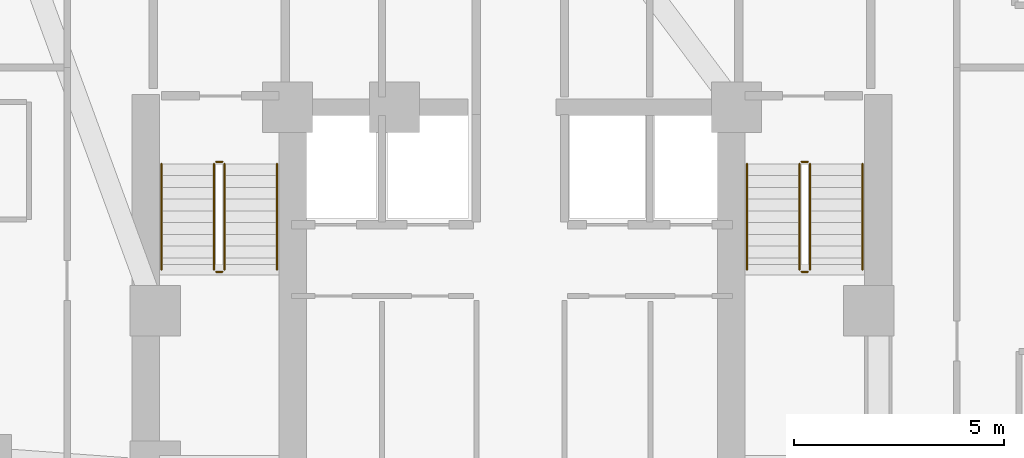
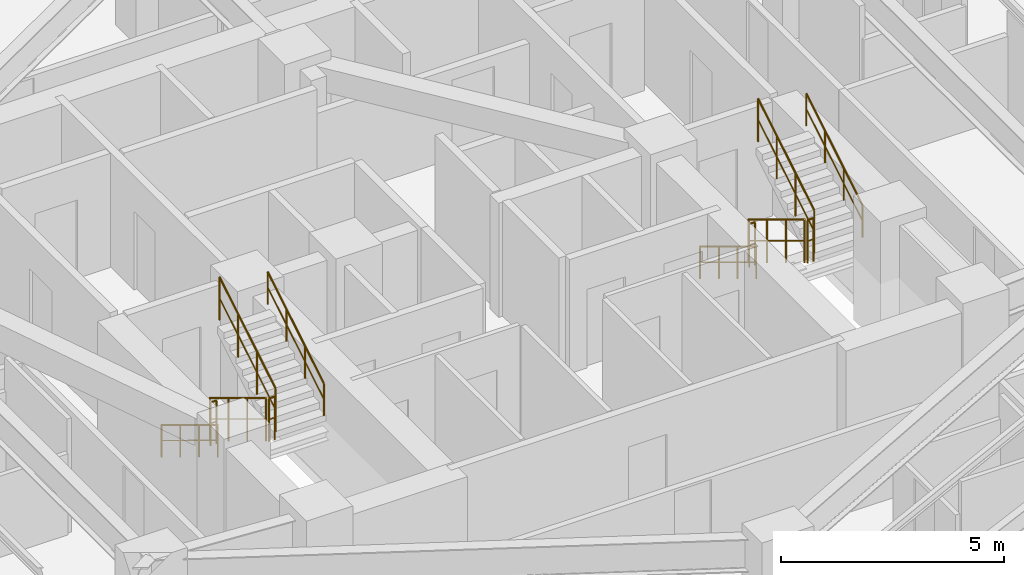
# One storey, part 13 of 13: 12 railings.
"""IFC4 building model written with IfcOpenShell, lengths in metres."""

from ifc_helpers import new_model, si_unit, direction, frame, origin, origin_2d, place, context, subcontext, project, spatial, circle, extrude, material, type_object, element, save


model = new_model("IFC4")

# Units and contexts
model_context = context("Model", 3, precision=1e-05, world=origin(), true_north=direction((0.0, 1.0)))
body_context = subcontext(model_context, "Body", "Model", "MODEL_VIEW")
ifc_project = project(units=[si_unit("LENGTHUNIT", "METRE"), si_unit("AREAUNIT", "SQUARE_METRE"), si_unit("VOLUMEUNIT", "CUBIC_METRE"), si_unit("PLANEANGLEUNIT", "RADIAN"), si_unit("MASSUNIT", "GRAM", prefix="KILO")], contexts=[model_context])

# Site, building, storey
site_placement = place(None, origin())
site = spatial("IfcSite", under=ifc_project, at=site_placement, CompositionType="ELEMENT")
building_placement = place(site_placement, origin())
building = spatial("IfcBuilding", under=site, at=building_placement, Name="Miruveldt Soraemaru", CompositionType="ELEMENT")
storey_placement = place(building_placement, frame((0.0, 0.0, 70.0)))
storey = spatial("IfcBuildingStorey", under=building, at=storey_placement, Name="L19", CompositionType="ELEMENT", Elevation=70.0)

# Railings
ifc_material = material(Name="Steel S355 (355 MPa)", Category="steel")
railing_type_1 = type_object("IfcRailingType", Name="RAIL-HR-900", PredefinedType="HANDRAIL", material=ifc_material)
railing_1_placement = place(storey_placement, frame((35.64990234375, 42.699951171875, 0.169921875)))
element("IfcRailing", 1, at=railing_1_placement, inside=storey, type_object=railing_type_1, Name="L19 ST-1 stair handrail 1", PredefinedType="HANDRAIL", context=body_context, shape_type="SweptSolid", body=[
    extrude(circle(Radius=0.02392578125, at=origin_2d()), frame((0.0, 0.0, 0.8759765625), z_axis=(0.0, -0.85478489116, 0.518982456201), x_axis=(1.0, 0.0, 0.0)), (0.0, 0.0, 1.0), 2.9482421875),
    extrude(circle(Radius=0.01611328125, at=origin_2d()), frame((0.0, 0.0, 0.449951171875), z_axis=(0.0, -0.85478489116, 0.518982456201), x_axis=(1.0, 0.0, 0.0)), (0.0, 0.0, 1.0), 2.9482421875),
    extrude(circle(Radius=0.02099609375, at=origin_2d()), origin(), (0.0, 0.0, 1.0), 0.851806640625),
    extrude(circle(Radius=0.02099609375, at=origin_2d()), frame((0.0, -0.840087890625, 0.510009765625)), (0.0, 0.0, 1.0), 0.851806640625),
    extrude(circle(Radius=0.02099609375, at=origin_2d()), frame((0.0, -1.679931640625, 1.02001953125)), (0.0, 0.0, 1.0), 0.851806640625),
    extrude(circle(Radius=0.02099609375, at=origin_2d()), frame((0.0, -2.52001953125, 1.530029296875)), (0.0, 0.0, 1.0), 0.851806640625),
])
railing_2_placement = place(storey_placement, frame((38.39990234375, 40.179931640625, 1.8701171875)))
element("IfcRailing", 2, at=railing_2_placement, inside=storey, type_object=railing_type_1, Name="L19 ST-1 stair handrail 2", PredefinedType="HANDRAIL", context=body_context, shape_type="SweptSolid", body=[
    extrude(circle(Radius=0.02392578125, at=origin_2d()), frame((0.0, 0.0, 0.8759765625), z_axis=(0.0, 0.854821627497, 0.518921945155), x_axis=(-1.0, 0.0, 0.0)), (0.0, 0.0, 1.0), 2.947998046875),
    extrude(circle(Radius=0.01611328125, at=origin_2d()), frame((0.0, 0.0, 0.449951171875), z_axis=(0.0, 0.854821627497, 0.518921945155), x_axis=(-1.0, 0.0, 0.0)), (0.0, 0.0, 1.0), 2.947998046875),
    extrude(circle(Radius=0.02099609375, at=origin_2d()), origin(), (0.0, 0.0, 1.0), 0.851806640625),
    extrude(circle(Radius=0.02099609375, at=origin_2d()), frame((0.0, 0.840087890625, 0.510009765625)), (0.0, 0.0, 1.0), 0.851806640625),
    extrude(circle(Radius=0.02099609375, at=origin_2d()), frame((0.0, 1.679931640625, 1.019775390625)), (0.0, 0.0, 1.0), 0.851806640625),
    extrude(circle(Radius=0.02099609375, at=origin_2d()), frame((0.0, 2.52001953125, 1.52978515625)), (0.0, 0.0, 1.0), 0.851806640625),
])
railing_3_placement = place(storey_placement, frame((49.60009765625, 42.699951171875, 0.169921875)))
element("IfcRailing", 3, at=railing_3_placement, inside=storey, type_object=railing_type_1, Name="L19 ST-2 stair handrail 1", PredefinedType="HANDRAIL", context=body_context, shape_type="SweptSolid", body=[
    extrude(circle(Radius=0.02392578125, at=origin_2d()), frame((0.0, 0.0, 0.8759765625), z_axis=(0.0, -0.85478489116, 0.518982456201), x_axis=(1.0, 0.0, 0.0)), (0.0, 0.0, 1.0), 2.9482421875),
    extrude(circle(Radius=0.01611328125, at=origin_2d()), frame((0.0, 0.0, 0.449951171875), z_axis=(0.0, -0.85478489116, 0.518982456201), x_axis=(1.0, 0.0, 0.0)), (0.0, 0.0, 1.0), 2.9482421875),
    extrude(circle(Radius=0.02099609375, at=origin_2d()), origin(), (0.0, 0.0, 1.0), 0.851806640625),
    extrude(circle(Radius=0.02099609375, at=origin_2d()), frame((0.0, -0.840087890625, 0.510009765625)), (0.0, 0.0, 1.0), 0.851806640625),
    extrude(circle(Radius=0.02099609375, at=origin_2d()), frame((0.0, -1.679931640625, 1.02001953125)), (0.0, 0.0, 1.0), 0.851806640625),
    extrude(circle(Radius=0.02099609375, at=origin_2d()), frame((0.0, -2.52001953125, 1.530029296875)), (0.0, 0.0, 1.0), 0.851806640625),
])
railing_4_placement = place(storey_placement, frame((52.35009765625, 40.179931640625, 1.8701171875)))
element("IfcRailing", 4, at=railing_4_placement, inside=storey, type_object=railing_type_1, Name="L19 ST-2 stair handrail 2", PredefinedType="HANDRAIL", context=body_context, shape_type="SweptSolid", body=[
    extrude(circle(Radius=0.02392578125, at=origin_2d()), frame((0.0, 0.0, 0.8759765625), z_axis=(0.0, 0.854821627497, 0.518921945155), x_axis=(-1.0, 0.0, 0.0)), (0.0, 0.0, 1.0), 2.947998046875),
    extrude(circle(Radius=0.01611328125, at=origin_2d()), frame((0.0, 0.0, 0.449951171875), z_axis=(0.0, 0.854821627497, 0.518921945155), x_axis=(-1.0, 0.0, 0.0)), (0.0, 0.0, 1.0), 2.947998046875),
    extrude(circle(Radius=0.02099609375, at=origin_2d()), origin(), (0.0, 0.0, 1.0), 0.851806640625),
    extrude(circle(Radius=0.02099609375, at=origin_2d()), frame((0.0, 0.840087890625, 0.510009765625)), (0.0, 0.0, 1.0), 0.851806640625),
    extrude(circle(Radius=0.02099609375, at=origin_2d()), frame((0.0, 1.679931640625, 1.019775390625)), (0.0, 0.0, 1.0), 0.851806640625),
    extrude(circle(Radius=0.02099609375, at=origin_2d()), frame((0.0, 2.52001953125, 1.52978515625)), (0.0, 0.0, 1.0), 0.851806640625),
])
railing_type_2 = type_object("IfcRailingType", Name="RAIL-STGUARD-1200", PredefinedType="GUARDRAIL", material=ifc_material)
railing_5_placement = place(storey_placement, frame((36.89990234375, 42.699951171875, 0.169921875)))
element("IfcRailing", 5, at=railing_5_placement, inside=storey, type_object=railing_type_2, Name="L19 ST-1 stair guard 1", PredefinedType="GUARDRAIL", context=body_context, shape_type="SweptSolid", body=[
    extrude(circle(Radius=0.02392578125, at=origin_2d()), frame((0.0, 0.0, 1.17578125), z_axis=(0.0, -0.85478489116, 0.518982456201), x_axis=(1.0, 0.0, 0.0)), (0.0, 0.0, 1.0), 2.9482421875),
    extrude(circle(Radius=0.01611328125, at=origin_2d()), frame((0.0, 0.0, 0.60009765625), z_axis=(0.0, -0.85478489116, 0.518982456201), x_axis=(1.0, 0.0, 0.0)), (0.0, 0.0, 1.0), 2.9482421875),
    extrude(circle(Radius=0.02099609375, at=origin_2d()), origin(), (0.0, 0.0, 1.0), 1.15185546875),
    extrude(circle(Radius=0.02099609375, at=origin_2d()), frame((0.0, -0.840087890625, 0.510009765625)), (0.0, 0.0, 1.0), 1.15185546875),
    extrude(circle(Radius=0.02099609375, at=origin_2d()), frame((0.0, -1.679931640625, 1.02001953125)), (0.0, 0.0, 1.0), 1.15185546875),
    extrude(circle(Radius=0.02099609375, at=origin_2d()), frame((0.0, -2.52001953125, 1.530029296875)), (0.0, 0.0, 1.0), 1.15185546875),
])
railing_6_placement = place(storey_placement, frame((36.949951171875, 40.1298828125, 1.699951171875)))
element("IfcRailing", 6, at=railing_6_placement, inside=storey, type_object=railing_type_2, Name="L19 ST-1 stair guard 2", PredefinedType="GUARDRAIL", context=body_context, shape_type="SweptSolid", body=[
    extrude(circle(Radius=0.02392578125, at=origin_2d()), frame((0.0, 0.0, 1.17578125), z_axis=(1.0, 0.0, 0.0), x_axis=(0.0, 1.0, 0.0)), (0.0, 0.0, 1.0), 0.150146484375),
    extrude(circle(Radius=0.01611328125, at=origin_2d()), frame((0.0, 0.0, 0.60009765625), z_axis=(1.0, 0.0, 0.0), x_axis=(0.0, 1.0, 0.0)), (0.0, 0.0, 1.0), 0.150146484375),
    extrude(circle(Radius=0.02099609375, at=origin_2d()), origin(), (0.0, 0.0, 1.0), 1.15185546875),
    extrude(circle(Radius=0.02099609375, at=origin_2d()), frame((0.150146484375, 0.0, 0.0)), (0.0, 0.0, 1.0), 1.15185546875),
])
railing_7_placement = place(storey_placement, frame((37.14990234375, 40.179931640625, 1.8701171875)))
element("IfcRailing", 7, at=railing_7_placement, inside=storey, type_object=railing_type_2, Name="L19 ST-1 stair guard 3", PredefinedType="GUARDRAIL", context=body_context, shape_type="SweptSolid", body=[
    extrude(circle(Radius=0.02392578125, at=origin_2d()), frame((0.0, 0.0, 1.17578125), z_axis=(0.0, 0.854821627497, 0.518921945155), x_axis=(-1.0, 0.0, 0.0)), (0.0, 0.0, 1.0), 2.947998046875),
    extrude(circle(Radius=0.01611328125, at=origin_2d()), frame((0.0, 0.0, 0.60009765625), z_axis=(0.0, 0.854821627497, 0.518921945155), x_axis=(-1.0, 0.0, 0.0)), (0.0, 0.0, 1.0), 2.947998046875),
    extrude(circle(Radius=0.02099609375, at=origin_2d()), origin(), (0.0, 0.0, 1.0), 1.15185546875),
    extrude(circle(Radius=0.02099609375, at=origin_2d()), frame((0.0, 0.840087890625, 0.510009765625)), (0.0, 0.0, 1.0), 1.15185546875),
    extrude(circle(Radius=0.02099609375, at=origin_2d()), frame((0.0, 1.679931640625, 1.019775390625)), (0.0, 0.0, 1.0), 1.15185546875),
    extrude(circle(Radius=0.02099609375, at=origin_2d()), frame((0.0, 2.52001953125, 1.52978515625)), (0.0, 0.0, 1.0), 1.15185546875),
])
railing_8_placement = place(storey_placement, frame((36.949951171875, 42.75, 0.0)))
element("IfcRailing", 8, at=railing_8_placement, inside=storey, type_object=railing_type_2, Name="L19 ST-1 stair guard 4", PredefinedType="GUARDRAIL", context=body_context, shape_type="SweptSolid", body=[
    extrude(circle(Radius=0.02392578125, at=origin_2d()), frame((0.0, 0.0, 1.17578125), z_axis=(1.0, 0.0, 0.0), x_axis=(0.0, 1.0, 0.0)), (0.0, 0.0, 1.0), 0.150146484375),
    extrude(circle(Radius=0.01611328125, at=origin_2d()), frame((0.0, 0.0, 0.60009765625), z_axis=(1.0, 0.0, 0.0), x_axis=(0.0, 1.0, 0.0)), (0.0, 0.0, 1.0), 0.150146484375),
    extrude(circle(Radius=0.02099609375, at=origin_2d()), origin(), (0.0, 0.0, 1.0), 1.15185546875),
    extrude(circle(Radius=0.02099609375, at=origin_2d()), frame((0.150146484375, 0.0, 0.0)), (0.0, 0.0, 1.0), 1.15185546875),
])
railing_9_placement = place(storey_placement, frame((50.85009765625, 42.699951171875, 0.169921875)))
element("IfcRailing", 9, at=railing_9_placement, inside=storey, type_object=railing_type_2, Name="L19 ST-2 stair guard 1", PredefinedType="GUARDRAIL", context=body_context, shape_type="SweptSolid", body=[
    extrude(circle(Radius=0.02392578125, at=origin_2d()), frame((0.0, 0.0, 1.17578125), z_axis=(0.0, -0.85478489116, 0.518982456201), x_axis=(1.0, 0.0, 0.0)), (0.0, 0.0, 1.0), 2.9482421875),
    extrude(circle(Radius=0.01611328125, at=origin_2d()), frame((0.0, 0.0, 0.60009765625), z_axis=(0.0, -0.85478489116, 0.518982456201), x_axis=(1.0, 0.0, 0.0)), (0.0, 0.0, 1.0), 2.9482421875),
    extrude(circle(Radius=0.02099609375, at=origin_2d()), origin(), (0.0, 0.0, 1.0), 1.15185546875),
    extrude(circle(Radius=0.02099609375, at=origin_2d()), frame((0.0, -0.840087890625, 0.510009765625)), (0.0, 0.0, 1.0), 1.15185546875),
    extrude(circle(Radius=0.02099609375, at=origin_2d()), frame((0.0, -1.679931640625, 1.02001953125)), (0.0, 0.0, 1.0), 1.15185546875),
    extrude(circle(Radius=0.02099609375, at=origin_2d()), frame((0.0, -2.52001953125, 1.530029296875)), (0.0, 0.0, 1.0), 1.15185546875),
])
railing_10_placement = place(storey_placement, frame((50.89990234375, 40.1298828125, 1.699951171875)))
element("IfcRailing", 10, at=railing_10_placement, inside=storey, type_object=railing_type_2, Name="L19 ST-2 stair guard 2", PredefinedType="GUARDRAIL", context=body_context, shape_type="SweptSolid", body=[
    extrude(circle(Radius=0.02392578125, at=origin_2d()), frame((0.0, 0.0, 1.17578125), z_axis=(1.0, 0.0, 0.0), x_axis=(0.0, 1.0, 0.0)), (0.0, 0.0, 1.0), 0.150146484375),
    extrude(circle(Radius=0.01611328125, at=origin_2d()), frame((0.0, 0.0, 0.60009765625), z_axis=(1.0, 0.0, 0.0), x_axis=(0.0, 1.0, 0.0)), (0.0, 0.0, 1.0), 0.150146484375),
    extrude(circle(Radius=0.02099609375, at=origin_2d()), origin(), (0.0, 0.0, 1.0), 1.15185546875),
    extrude(circle(Radius=0.02099609375, at=origin_2d()), frame((0.150146484375, 0.0, 0.0)), (0.0, 0.0, 1.0), 1.15185546875),
])
railing_11_placement = place(storey_placement, frame((51.10009765625, 40.179931640625, 1.8701171875)))
element("IfcRailing", 11, at=railing_11_placement, inside=storey, type_object=railing_type_2, Name="L19 ST-2 stair guard 3", PredefinedType="GUARDRAIL", context=body_context, shape_type="SweptSolid", body=[
    extrude(circle(Radius=0.02392578125, at=origin_2d()), frame((0.0, 0.0, 1.17578125), z_axis=(0.0, 0.854821627497, 0.518921945155), x_axis=(-1.0, 0.0, 0.0)), (0.0, 0.0, 1.0), 2.947998046875),
    extrude(circle(Radius=0.01611328125, at=origin_2d()), frame((0.0, 0.0, 0.60009765625), z_axis=(0.0, 0.854821627497, 0.518921945155), x_axis=(-1.0, 0.0, 0.0)), (0.0, 0.0, 1.0), 2.947998046875),
    extrude(circle(Radius=0.02099609375, at=origin_2d()), origin(), (0.0, 0.0, 1.0), 1.15185546875),
    extrude(circle(Radius=0.02099609375, at=origin_2d()), frame((0.0, 0.840087890625, 0.510009765625)), (0.0, 0.0, 1.0), 1.15185546875),
    extrude(circle(Radius=0.02099609375, at=origin_2d()), frame((0.0, 1.679931640625, 1.019775390625)), (0.0, 0.0, 1.0), 1.15185546875),
    extrude(circle(Radius=0.02099609375, at=origin_2d()), frame((0.0, 2.52001953125, 1.52978515625)), (0.0, 0.0, 1.0), 1.15185546875),
])
railing_12_placement = place(storey_placement, frame((50.89990234375, 42.75, 0.0)))
element("IfcRailing", 12, at=railing_12_placement, inside=storey, type_object=railing_type_2, Name="L19 ST-2 stair guard 4", PredefinedType="GUARDRAIL", context=body_context, shape_type="SweptSolid", body=[
    extrude(circle(Radius=0.02392578125, at=origin_2d()), frame((0.0, 0.0, 1.17578125), z_axis=(1.0, 0.0, 0.0), x_axis=(0.0, 1.0, 0.0)), (0.0, 0.0, 1.0), 0.150146484375),
    extrude(circle(Radius=0.01611328125, at=origin_2d()), frame((0.0, 0.0, 0.60009765625), z_axis=(1.0, 0.0, 0.0), x_axis=(0.0, 1.0, 0.0)), (0.0, 0.0, 1.0), 0.150146484375),
    extrude(circle(Radius=0.02099609375, at=origin_2d()), origin(), (0.0, 0.0, 1.0), 1.15185546875),
    extrude(circle(Radius=0.02099609375, at=origin_2d()), frame((0.150146484375, 0.0, 0.0)), (0.0, 0.0, 1.0), 1.15185546875),
])

save(model, "model.ifc")
